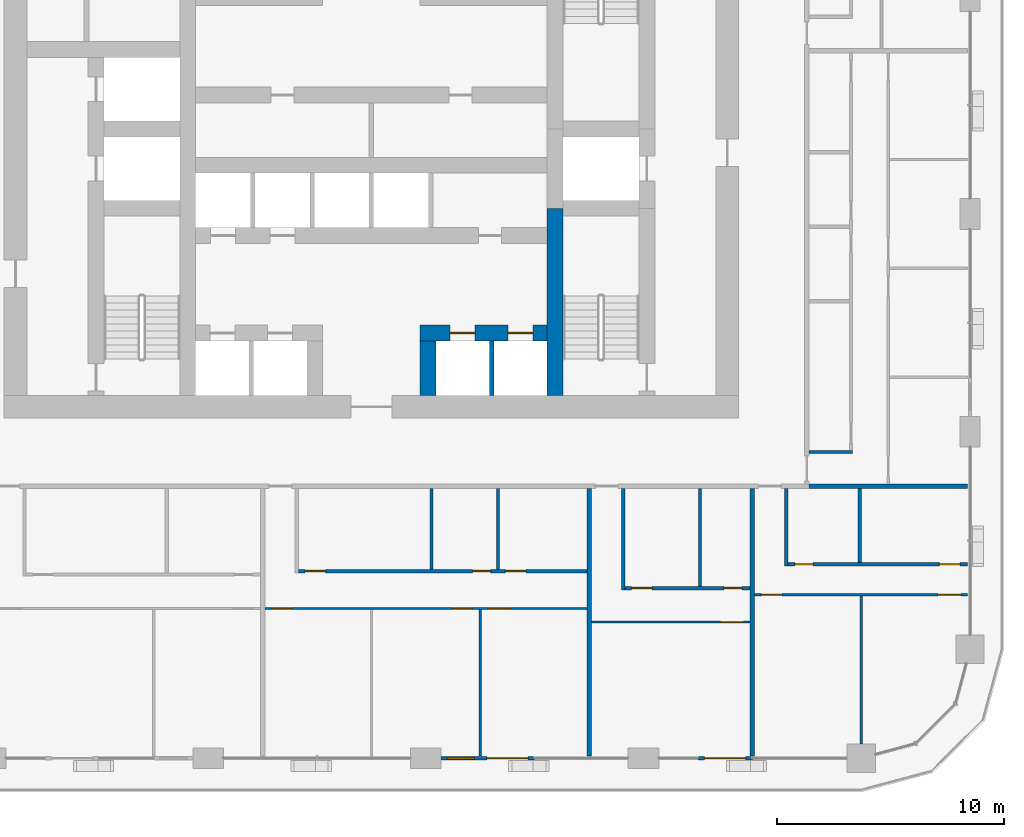
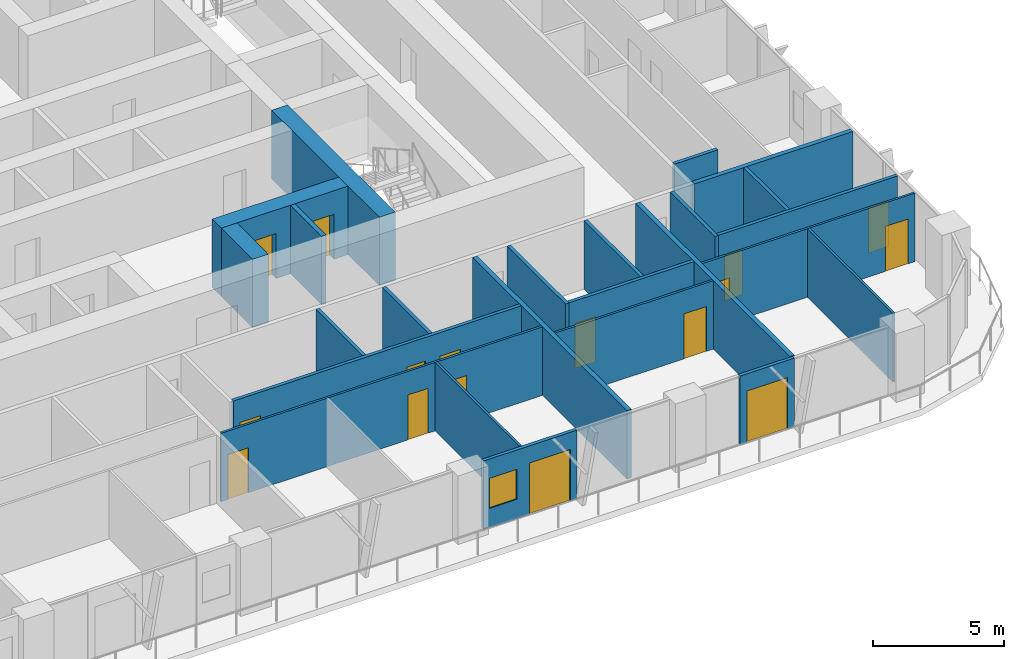
# One storey, part 11 of 21: 24 walls, 17 doors, 1 window, 18 openings.
"""IFC4 building model written with IfcOpenShell, lengths in metres."""

from ifc_helpers import new_model, si_unit, direction, frame, frame_2d, origin, place, context, subcontext, project, spatial, rectangle, extrude, material, layer, layer_set, type_object, element, fill, save


model = new_model("IFC4")

# Units and contexts
model_context = context("Model", 3, precision=1e-05, world=origin(), true_north=direction((0.0, 1.0)))
body_context = subcontext(model_context, "Body", "Model", "MODEL_VIEW")
ifc_project = project(units=[si_unit("LENGTHUNIT", "METRE"), si_unit("AREAUNIT", "SQUARE_METRE"), si_unit("VOLUMEUNIT", "CUBIC_METRE"), si_unit("PLANEANGLEUNIT", "RADIAN"), si_unit("MASSUNIT", "GRAM", prefix="KILO")], contexts=[model_context])

# Site, building, storey
site_placement = place(None, origin())
site = spatial("IfcSite", under=ifc_project, at=site_placement, CompositionType="ELEMENT")
building_placement = place(site_placement, origin())
building = spatial("IfcBuilding", under=site, at=building_placement, Name="Madar Terraces", CompositionType="ELEMENT")
storey_placement = place(building_placement, frame((0.0, 0.0, 29.39990234375)))
storey = spatial("IfcBuildingStorey", under=building, at=storey_placement, Name="L06", CompositionType="ELEMENT", Elevation=29.39990234375)

# Wall
ifc_material_1 = material(Name="Concrete C80/95", Category="concrete")
ifc_layer_1 = layer(ifc_material_1, 0.699951171875)
ifc_layer_set_1 = layer_set([ifc_layer_1], Name="Concrete C80/95 (CIW1 RC wall 700)")
wall_type_1 = type_object("IfcWallType", Name="CIW1 RC wall 700", PredefinedType="SHEAR", material=ifc_layer_set_1)
wall_1_placement = place(storey_placement, frame((39.300048828125, 16.0, 0.0), z_axis=(0.0, 0.0, 1.0), x_axis=(0.0, 1.0, 0.0)))
element("IfcWall", 1, at=wall_1_placement, inside=storey, type_object=wall_type_1, Name="CORE SHAFT WALL", PredefinedType="SHEAR", context=body_context, shape_type="SweptSolid", body=[
    extrude(rectangle(XDim=8.25, YDim=0.699951171875, at=frame_2d((4.125, 0.0))), origin(), (0.0, 0.0, 1.0), 3.2001953125),
])

# Wall, openings, doors
wall_2_placement = place(storey_placement, frame((33.35009765625, 18.75, 0.0), z_axis=(0.0, 0.0, 1.0), x_axis=(1.0, 0.0, 0.0)))
wall_2 = element("IfcWall", 2, at=wall_2_placement, inside=storey, type_object=wall_type_1, Name="CORE SHAFT WALL", PredefinedType="SHEAR", context=body_context, shape_type="SweptSolid", body=[
    extrude(rectangle(XDim=5.599853515625, YDim=0.699951171875, at=frame_2d((2.7998046875, 0.0))), origin(), (0.0, 0.0, 1.0), 3.2001953125),
])
opening_1_placement = place(wall_2_placement, frame((1.324951171875, 0.0, 0.0)))
opening_1 = element("IfcOpeningElement", 3, at=opening_1_placement, cuts=wall_2, Name="Opening LD", PredefinedType="OPENING", context=body_context, shape_type="SweptSolid", body=[
    extrude(rectangle(XDim=1.10009765625, YDim=2.10009765625, at=frame_2d((0.550048828125, 1.050048828125))), frame((0.0, 0.35986328125, 0.0), z_axis=(0.0, -1.0, 0.0), x_axis=(1.0, 0.0, 0.0)), (0.0, 0.0, 1.0), 0.719970703125),
])
opening_2_placement = place(wall_2_placement, frame((3.875, 0.0, 0.0)))
opening_2 = element("IfcOpeningElement", 4, at=opening_2_placement, cuts=wall_2, Name="Opening LD", PredefinedType="OPENING", context=body_context, shape_type="SweptSolid", body=[
    extrude(rectangle(XDim=1.10009765625, YDim=2.10009765625, at=frame_2d((0.550048828125, 1.050048828125))), frame((0.0, 0.35986328125, 0.0), z_axis=(0.0, -1.0, 0.0), x_axis=(1.0, 0.0, 0.0)), (0.0, 0.0, 1.0), 0.719970703125),
])
ifc_material_2 = material(Name="Stainless steel panel", Category="steel")
door_type_1 = type_object("IfcDoorType", Name="Lift landing door 1100 x 2100", OperationType="DOUBLE_DOOR_SLIDING", PredefinedType="DOOR", material=ifc_material_2)
door_1_placement = place(opening_1_placement, origin())
door_1 = element("IfcDoor", 5, at=door_1_placement, inside=storey, type_object=door_type_1, Name="LIFT LANDING DOOR", OperationType="DOUBLE_DOOR_SLIDING", OverallHeight=2.10009765625, OverallWidth=1.10009765625, PredefinedType="DOOR", context=body_context, shape_type="SweptSolid", body=[
    extrude(rectangle(XDim=1.10009765625, YDim=2.10009765625, at=frame_2d((0.550048828125, 1.050048828125))), frame((0.0, 0.02490234375, 0.0), z_axis=(0.0, -1.0, 0.0), x_axis=(1.0, 0.0, 0.0)), (0.0, 0.0, 1.0), 0.050048828125),
])
fill(opening_1, door_1)
door_2_placement = place(opening_2_placement, origin())
door_2 = element("IfcDoor", 6, at=door_2_placement, inside=storey, type_object=door_type_1, Name="LIFT LANDING DOOR", OperationType="DOUBLE_DOOR_SLIDING", OverallHeight=2.10009765625, OverallWidth=1.10009765625, PredefinedType="DOOR", context=body_context, shape_type="SweptSolid", body=[
    extrude(rectangle(XDim=1.10009765625, YDim=2.10009765625, at=frame_2d((0.550048828125, 1.050048828125))), frame((0.0, 0.02490234375, 0.0), z_axis=(0.0, -1.0, 0.0), x_axis=(1.0, 0.0, 0.0)), (0.0, 0.0, 1.0), 0.050048828125),
])
fill(opening_2, door_2)

# Walls
wall_3_placement = place(storey_placement, frame((33.699951171875, 16.0, 0.0), z_axis=(0.0, 0.0, 1.0), x_axis=(0.0, 1.0, 0.0)))
element("IfcWall", 7, at=wall_3_placement, inside=storey, type_object=wall_type_1, Name="CORE SHAFT WALL", PredefinedType="SHEAR", context=body_context, shape_type="SweptSolid", body=[
    extrude(rectangle(XDim=2.39990234375, YDim=0.699951171875, at=frame_2d((1.199951171875, 0.0))), origin(), (0.0, 0.0, 1.0), 3.2001953125),
])
ifc_material_3 = material(Name="Concrete C40/50", Category="concrete")
ifc_layer_2 = layer(ifc_material_3, 0.199951171875)
ifc_layer_set_2 = layer_set([ifc_layer_2], Name="Core shaft dividing wall 200 C40/50")
wall_type_2 = type_object("IfcWallType", Name="Core shaft dividing wall 200 C40/50", PredefinedType="SOLIDWALL", material=ifc_layer_set_2)
wall_4_placement = place(storey_placement, frame((36.5, 16.0, 0.0), z_axis=(0.0, 0.0, 1.0), x_axis=(0.0, 1.0, 0.0)))
element("IfcWall", 8, at=wall_4_placement, inside=storey, type_object=wall_type_2, Name="SHAFT DIVIDING WALL", PredefinedType="SOLIDWALL", context=body_context, shape_type="SweptSolid", body=[
    extrude(rectangle(XDim=2.39990234375, YDim=0.199951171875, at=frame_2d((1.199951171875, 0.0))), origin(), (0.0, 0.0, 1.0), 3.2001953125),
])

# Wall, openings, door, window
ifc_material_4 = material(Name="Aluminium composite panel, black, over insulated backing", Category="aluminium")
ifc_layer_3 = layer(ifc_material_4, 0.14990234375)
ifc_layer_set_3 = layer_set([ifc_layer_3], Name="Facade bay panel 150")
wall_type_3 = type_object("IfcWallType", Name="Facade bay panel 150", PredefinedType="SOLIDWALL", material=ifc_layer_set_3)
wall_5_placement = place(storey_placement, frame((34.27490234375, 0.0, 0.0), z_axis=(0.0, 0.0, 1.0), x_axis=(1.0, 0.0, 0.0)))
wall_5 = element("IfcWall", 9, at=wall_5_placement, inside=storey, type_object=wall_type_3, Name="Facade bay panel", PredefinedType="SOLIDWALL", context=body_context, shape_type="SweptSolid", body=[
    extrude(rectangle(XDim=4.125, YDim=0.14990234375, at=frame_2d((2.0625, 0.0))), origin(), (0.0, 0.0, 1.0), 3.2001953125),
])
opening_3_placement = place(wall_5_placement, frame((0.262451171875, 0.0, 0.89990234375)))
opening_3 = element("IfcOpeningElement", 10, at=opening_3_placement, cuts=wall_5, Name="Opening W1", PredefinedType="OPENING", context=body_context, shape_type="SweptSolid", body=[
    extrude(rectangle(XDim=1.199951171875, YDim=1.39990234375, at=frame_2d((0.60009765625, 0.699951171875))), frame((0.0, 0.0849609375, 0.0), z_axis=(0.0, -1.0, 0.0), x_axis=(1.0, 0.0, 0.0)), (0.0, 0.0, 1.0), 0.169921875),
])
opening_4_placement = place(wall_5_placement, frame((2.02490234375, 0.0, 0.0)))
opening_4 = element("IfcOpeningElement", 11, at=opening_4_placement, cuts=wall_5, Name="Opening ED1", PredefinedType="OPENING", context=body_context, shape_type="SweptSolid", body=[
    extrude(rectangle(XDim=1.800048828125, YDim=2.39990234375, at=frame_2d((0.89990234375, 1.199951171875))), frame((0.0, 0.0849609375, 0.0), z_axis=(0.0, -1.0, 0.0), x_axis=(1.0, 0.0, 0.0)), (0.0, 0.0, 1.0), 0.169921875),
])
ifc_material_5 = material(Name="Glass, clear, with black aluminium frame", Category="aluminium")
door_type_2 = type_object("IfcDoorType", Name="Balcony and terrace sliding door 1800 x 2400", OperationType="SLIDING_TO_LEFT", PredefinedType="DOOR", material=ifc_material_5)
door_3_placement = place(opening_4_placement, origin())
door_3 = element("IfcDoor", 12, at=door_3_placement, inside=storey, type_object=door_type_2, Name="Balcony door", OperationType="SLIDING_TO_RIGHT", OverallHeight=2.39990234375, OverallWidth=1.800048828125, PredefinedType="DOOR", context=body_context, shape_type="SweptSolid", body=[
    extrude(rectangle(XDim=1.800048828125, YDim=2.39990234375, at=frame_2d((0.89990234375, 1.199951171875))), frame((0.0, 0.02490234375, 0.0), z_axis=(0.0, -1.0, 0.0), x_axis=(1.0, 0.0, 0.0)), (0.0, 0.0, 1.0), 0.050048828125),
])
fill(opening_4, door_3)
ifc_material_6 = material(Name="Glass, clear, with black aluminium frame", Category="aluminium")
window_type = type_object("IfcWindowType", Name="Vent window 1200 x 1400", PartitioningType="SINGLE_PANEL", PredefinedType="WINDOW", material=ifc_material_6)
window_placement = place(opening_3_placement, origin())
window = element("IfcWindow", 13, at=window_placement, inside=storey, type_object=window_type, Name="Operable vent window", OverallHeight=1.39990234375, OverallWidth=1.199951171875, PartitioningType="SINGLE_PANEL", PredefinedType="WINDOW", context=body_context, shape_type="SweptSolid", body=[
    extrude(rectangle(XDim=1.199951171875, YDim=1.39990234375, at=frame_2d((0.60009765625, 0.699951171875))), frame((0.0, 0.030029296875, 0.0), z_axis=(0.0, -1.0, 0.0), x_axis=(1.0, 0.0, 0.0)), (0.0, 0.0, 1.0), 0.06005859375),
])
fill(opening_3, window)

# Wall, opening, door
wall_6_placement = place(storey_placement, frame((45.60009765625, 0.0, 0.0), z_axis=(0.0, 0.0, 1.0), x_axis=(1.0, 0.0, 0.0)))
wall_6 = element("IfcWall", 14, at=wall_6_placement, inside=storey, type_object=wall_type_3, Name="Facade bay panel", PredefinedType="SOLIDWALL", context=body_context, shape_type="SweptSolid", body=[
    extrude(rectangle(XDim=2.39990234375, YDim=0.14990234375, at=frame_2d((1.199951171875, 0.0))), origin(), (0.0, 0.0, 1.0), 3.2001953125),
])
opening_5_placement = place(wall_6_placement, frame((0.300048828125, 0.0, 0.0)))
opening_5 = element("IfcOpeningElement", 15, at=opening_5_placement, cuts=wall_6, Name="Opening ED1", PredefinedType="OPENING", context=body_context, shape_type="SweptSolid", body=[
    extrude(rectangle(XDim=1.800048828125, YDim=2.39990234375, at=frame_2d((0.89990234375, 1.199951171875))), frame((0.0, 0.0849609375, 0.0), z_axis=(0.0, -1.0, 0.0), x_axis=(1.0, 0.0, 0.0)), (0.0, 0.0, 1.0), 0.169921875),
])
door_4_placement = place(opening_5_placement, origin())
door_4 = element("IfcDoor", 16, at=door_4_placement, inside=storey, type_object=door_type_2, Name="Balcony door", OperationType="SLIDING_TO_LEFT", OverallHeight=2.39990234375, OverallWidth=1.800048828125, PredefinedType="DOOR", context=body_context, shape_type="SweptSolid", body=[
    extrude(rectangle(XDim=1.800048828125, YDim=2.39990234375, at=frame_2d((0.89990234375, 1.199951171875))), frame((0.0, 0.02490234375, 0.0), z_axis=(0.0, -1.0, 0.0), x_axis=(1.0, 0.0, 0.0)), (0.0, 0.0, 1.0), 0.050048828125),
])
fill(opening_5, door_4)

# Wall
ifc_material_7 = material(Name="Gypsum board on steel studs", Category="steel")
ifc_layer_4 = layer(ifc_material_7, 0.10009765625)
ifc_layer_set_4 = layer_set([ifc_layer_4], Name="Flat partition 100")
wall_type_4 = type_object("IfcWallType", Name="Flat partition 100", PredefinedType="PARTITIONING", material=ifc_layer_set_4)
wall_7_placement = place(storey_placement, frame((36.0, 6.550048828125, 0.0), z_axis=(0.0, 0.0, 1.0), x_axis=(0.0, -1.0, 0.0)))
element("IfcWall", 17, at=wall_7_placement, inside=storey, type_object=wall_type_4, Name="Flat partition 100", PredefinedType="PARTITIONING", context=body_context, shape_type="SweptSolid", body=[
    extrude(rectangle(XDim=6.449951171875, YDim=0.10009765625, at=frame_2d((3.22509765625, 0.0))), origin(), (0.0, 0.0, 1.0), 3.2001953125),
])

# Wall, openings, doors
wall_8_placement = place(storey_placement, frame((40.699951171875, 6.60009765625, 0.0), z_axis=(0.0, 0.0, 1.0), x_axis=(-1.0, 0.0, 0.0)))
wall_8 = element("IfcWall", 18, at=wall_8_placement, inside=storey, type_object=wall_type_4, Name="Flat partition 100", PredefinedType="PARTITIONING", context=body_context, shape_type="SweptSolid", body=[
    extrude(rectangle(XDim=14.199951171875, YDim=0.10009765625, at=frame_2d((7.10009765625, 0.0))), origin(), (0.0, 0.0, 1.0), 3.2001953125),
])
opening_6_placement = place(wall_8_placement, frame((13.0, 0.0, 0.0)))
opening_6 = element("IfcOpeningElement", 19, at=opening_6_placement, cuts=wall_8, Name="Opening D2", PredefinedType="OPENING", context=body_context, shape_type="SweptSolid", body=[
    extrude(rectangle(XDim=0.89990234375, YDim=2.10009765625, at=frame_2d((0.449951171875, 1.050048828125))), frame((0.0, 0.06005859375, 0.0), z_axis=(0.0, -1.0, 0.0), x_axis=(1.0, 0.0, 0.0)), (0.0, 0.0, 1.0), 0.1201171875),
])
opening_7_placement = place(wall_8_placement, frame((5.050048828125, 0.0, 0.0)))
opening_7 = element("IfcOpeningElement", 20, at=opening_7_placement, cuts=wall_8, Name="Opening D2", PredefinedType="OPENING", context=body_context, shape_type="SweptSolid", body=[
    extrude(rectangle(XDim=0.89990234375, YDim=2.10009765625, at=frame_2d((0.449951171875, 1.050048828125))), frame((0.0, 0.06005859375, 0.0), z_axis=(0.0, -1.0, 0.0), x_axis=(1.0, 0.0, 0.0)), (0.0, 0.0, 1.0), 0.1201171875),
])
opening_8_placement = place(wall_8_placement, frame((3.35009765625, 0.0, 0.0)))
opening_8 = element("IfcOpeningElement", 21, at=opening_8_placement, cuts=wall_8, Name="Opening D3", PredefinedType="OPENING", context=body_context, shape_type="SweptSolid", body=[
    extrude(rectangle(XDim=1.0, YDim=2.10009765625, at=frame_2d((0.5, 1.050048828125))), frame((0.0, 0.06005859375, 0.0), z_axis=(0.0, -1.0, 0.0), x_axis=(1.0, 0.0, 0.0)), (0.0, 0.0, 1.0), 0.1201171875),
])
ifc_material_8 = material(Name="Timber door leaf", Category="wood")
door_type_3 = type_object("IfcDoorType", Name="Flat living room door 1000", OperationType="NOTDEFINED", PredefinedType="DOOR", material=ifc_material_8)
door_5_placement = place(opening_8_placement, origin())
door_5 = element("IfcDoor", 22, at=door_5_placement, inside=storey, type_object=door_type_3, Name="Flat living room door 1000", OperationType="SINGLE_SWING_RIGHT", OverallHeight=2.10009765625, OverallWidth=1.0, PredefinedType="DOOR", context=body_context, shape_type="SweptSolid", body=[
    extrude(rectangle(XDim=1.0, YDim=2.10009765625, at=frame_2d((0.5, 1.050048828125))), frame((0.0, 0.02490234375, 0.0), z_axis=(0.0, -1.0, 0.0), x_axis=(1.0, 0.0, 0.0)), (0.0, 0.0, 1.0), 0.050048828125),
])
fill(opening_8, door_5)
ifc_material_9 = material(Name="Timber door leaf", Category="wood")
door_type_4 = type_object("IfcDoorType", Name="Flat room door 900", OperationType="NOTDEFINED", PredefinedType="DOOR", material=ifc_material_9)
door_6_placement = place(opening_6_placement, origin())
door_6 = element("IfcDoor", 23, at=door_6_placement, inside=storey, type_object=door_type_4, Name="Flat room door 900", OperationType="SINGLE_SWING_RIGHT", OverallHeight=2.10009765625, OverallWidth=0.89990234375, PredefinedType="DOOR", context=body_context, shape_type="SweptSolid", body=[
    extrude(rectangle(XDim=0.89990234375, YDim=2.10009765625, at=frame_2d((0.449951171875, 1.050048828125))), frame((0.0, 0.02490234375, 0.0), z_axis=(0.0, -1.0, 0.0), x_axis=(1.0, 0.0, 0.0)), (0.0, 0.0, 1.0), 0.050048828125),
])
fill(opening_6, door_6)
door_7_placement = place(opening_7_placement, origin())
door_7 = element("IfcDoor", 24, at=door_7_placement, inside=storey, type_object=door_type_4, Name="Flat room door 900", OperationType="SINGLE_SWING_LEFT", OverallHeight=2.10009765625, OverallWidth=0.89990234375, PredefinedType="DOOR", context=body_context, shape_type="SweptSolid", body=[
    extrude(rectangle(XDim=0.89990234375, YDim=2.10009765625, at=frame_2d((0.449951171875, 1.050048828125))), frame((0.0, 0.02490234375, 0.0), z_axis=(0.0, -1.0, 0.0), x_axis=(1.0, 0.0, 0.0)), (0.0, 0.0, 1.0), 0.050048828125),
])
fill(opening_7, door_7)

# Wall, opening, door
wall_9_placement = place(storey_placement, frame((47.89990234375, 6.0, 0.0), z_axis=(0.0, 0.0, 1.0), x_axis=(-1.0, 0.0, 0.0)))
wall_9 = element("IfcWall", 25, at=wall_9_placement, inside=storey, type_object=wall_type_4, Name="Flat partition 100", PredefinedType="PARTITIONING", context=body_context, shape_type="SweptSolid", body=[
    extrude(rectangle(XDim=7.0, YDim=0.10009765625, at=frame_2d((3.5, 0.0))), origin(), (0.0, 0.0, 1.0), 3.2001953125),
])
opening_9_placement = place(wall_9_placement, frame((0.300048828125, 0.0, 0.0)))
opening_9 = element("IfcOpeningElement", 26, at=opening_9_placement, cuts=wall_9, Name="Opening D3", PredefinedType="OPENING", context=body_context, shape_type="SweptSolid", body=[
    extrude(rectangle(XDim=1.0, YDim=2.10009765625, at=frame_2d((0.5, 1.050048828125))), frame((0.0, 0.06005859375, 0.0), z_axis=(0.0, -1.0, 0.0), x_axis=(1.0, 0.0, 0.0)), (0.0, 0.0, 1.0), 0.1201171875),
])
door_8_placement = place(opening_9_placement, origin())
door_8 = element("IfcDoor", 27, at=door_8_placement, inside=storey, type_object=door_type_3, Name="Flat living room door 1000", OperationType="SINGLE_SWING_LEFT", OverallHeight=2.10009765625, OverallWidth=1.0, PredefinedType="DOOR", context=body_context, shape_type="SweptSolid", body=[
    extrude(rectangle(XDim=1.0, YDim=2.10009765625, at=frame_2d((0.5, 1.050048828125))), frame((0.0, 0.02490234375, 0.0), z_axis=(0.0, -1.0, 0.0), x_axis=(1.0, 0.0, 0.0)), (0.0, 0.0, 1.0), 0.050048828125),
])
fill(opening_9, door_8)

# Wall
wall_10_placement = place(storey_placement, frame((52.800048828125, 7.14990234375, 0.0), z_axis=(0.0, 0.0, 1.0), x_axis=(0.0, -1.0, 0.0)))
element("IfcWall", 28, at=wall_10_placement, inside=storey, type_object=wall_type_4, Name="Flat partition 100", PredefinedType="PARTITIONING", context=body_context, shape_type="SweptSolid", body=[
    extrude(rectangle(XDim=6.52490234375, YDim=0.10009765625, at=frame_2d((3.262451171875, 0.0))), origin(), (0.0, 0.0, 1.0), 3.2001953125),
])

# Wall, openings, doors
wall_11_placement = place(storey_placement, frame((57.5, 7.199951171875, 0.0), z_axis=(0.0, 0.0, 1.0), x_axis=(-1.0, 0.0, 0.0)))
wall_11 = element("IfcWall", 29, at=wall_11_placement, inside=storey, type_object=wall_type_4, Name="Flat partition 100", PredefinedType="PARTITIONING", context=body_context, shape_type="SweptSolid", body=[
    extrude(rectangle(XDim=9.39990234375, YDim=0.10009765625, at=frame_2d((4.699951171875, 0.0))), origin(), (0.0, 0.0, 1.0), 3.2001953125),
])
opening_10_placement = place(wall_11_placement, frame((8.199951171875, 0.0, 0.0)))
opening_10 = element("IfcOpeningElement", 30, at=opening_10_placement, cuts=wall_11, Name="Opening D2", PredefinedType="OPENING", context=body_context, shape_type="SweptSolid", body=[
    extrude(rectangle(XDim=0.89990234375, YDim=2.10009765625, at=frame_2d((0.449951171875, 1.050048828125))), frame((0.0, 0.06005859375, 0.0), z_axis=(0.0, -1.0, 0.0), x_axis=(1.0, 0.0, 0.0)), (0.0, 0.0, 1.0), 0.1201171875),
])
opening_11_placement = place(wall_11_placement, frame((0.300048828125, 0.0, 0.0)))
opening_11 = element("IfcOpeningElement", 31, at=opening_11_placement, cuts=wall_11, Name="Opening D3", PredefinedType="OPENING", context=body_context, shape_type="SweptSolid", body=[
    extrude(rectangle(XDim=1.0, YDim=2.10009765625, at=frame_2d((0.5, 1.050048828125))), frame((0.0, 0.06005859375, 0.0), z_axis=(0.0, -1.0, 0.0), x_axis=(1.0, 0.0, 0.0)), (0.0, 0.0, 1.0), 0.1201171875),
])
door_9_placement = place(opening_11_placement, origin())
door_9 = element("IfcDoor", 32, at=door_9_placement, inside=storey, type_object=door_type_3, Name="Flat living room door 1000", OperationType="SINGLE_SWING_LEFT", OverallHeight=2.10009765625, OverallWidth=1.0, PredefinedType="DOOR", context=body_context, shape_type="SweptSolid", body=[
    extrude(rectangle(XDim=1.0, YDim=2.10009765625, at=frame_2d((0.5, 1.050048828125))), frame((0.0, 0.02490234375, 0.0), z_axis=(0.0, -1.0, 0.0), x_axis=(1.0, 0.0, 0.0)), (0.0, 0.0, 1.0), 0.050048828125),
])
fill(opening_11, door_9)
door_10_placement = place(opening_10_placement, origin())
door_10 = element("IfcDoor", 33, at=door_10_placement, inside=storey, type_object=door_type_4, Name="Flat room door 900", OperationType="SINGLE_SWING_RIGHT", OverallHeight=2.10009765625, OverallWidth=0.89990234375, PredefinedType="DOOR", context=body_context, shape_type="SweptSolid", body=[
    extrude(rectangle(XDim=0.89990234375, YDim=2.10009765625, at=frame_2d((0.449951171875, 1.050048828125))), frame((0.0, 0.02490234375, 0.0), z_axis=(0.0, -1.0, 0.0), x_axis=(1.0, 0.0, 0.0)), (0.0, 0.0, 1.0), 0.050048828125),
])
fill(opening_10, door_10)

# Walls
ifc_material_10 = material(Name="Lightweight blockwork", Category="masonry")
ifc_layer_5 = layer(ifc_material_10, 0.199951171875)
ifc_layer_set_5 = layer_set([ifc_layer_5], Name="Flat party and entrance wall 200")
wall_type_5 = type_object("IfcWallType", Name="Flat party and entrance wall 200", PredefinedType="PARTITIONING", material=ifc_layer_set_5)
for number, where, z_axis, x_axis, name in (
    (34, (40.800048828125, 11.89990234375, 0.0), (0.0, 0.0, 1.0), (0.0, -1.0, 0.0), "Flat party and entrance wall 200"),
    (35, (48.0, 11.89990234375, 0.0), (0.0, 0.0, 1.0), (0.0, -1.0, 0.0), "Flat party and entrance wall 200"),
):
    element("IfcWall", number, at=place(storey_placement, frame(where, z_axis=z_axis, x_axis=x_axis)), inside=storey, type_object=wall_type_5, Name=name, PredefinedType="PARTITIONING", context=body_context, shape_type="SweptSolid", body=[
        extrude(rectangle(XDim=11.7998046875, YDim=0.199951171875, at=frame_2d((5.89990234375, 0.0))), origin(), (0.0, 0.0, 1.0), 3.2001953125),
    ])
wall_12_placement = place(storey_placement, frame((50.5, 12.0, 0.0), z_axis=(0.0, 0.0, 1.0), x_axis=(1.0, 0.0, 0.0)))
element("IfcWall", 36, at=wall_12_placement, inside=storey, type_object=wall_type_5, Name="Flat party and entrance wall 200", PredefinedType="PARTITIONING", context=body_context, shape_type="SweptSolid", body=[
    extrude(rectangle(XDim=7.0, YDim=0.199951171875, at=frame_2d((3.5, 0.0))), origin(), (0.0, 0.0, 1.0), 3.2001953125),
])
ifc_material_11 = material(Name="Lightweight blockwork", Category="masonry")
ifc_layer_6 = layer(ifc_material_11, 0.14990234375)
ifc_layer_set_6 = layer_set([ifc_layer_6], Name="Flat wet-room partition 150")
wall_type_6 = type_object("IfcWallType", Name="Flat wet-room partition 150", PredefinedType="PARTITIONING", material=ifc_layer_set_6)
for number, where, z_axis, x_axis, name in (
    (37, (33.84814453125, 11.89990234375, 0.0), (0.0, 0.0, 1.0), (0.0, -1.0, 0.0), "Flat wet-room partition 150"),
    (38, (36.78466796875, 11.89990234375, 0.0), (0.0, 0.0, 1.0), (0.0, -1.0, 0.0), "Flat wet-room partition 150"),
):
    element("IfcWall", number, at=place(storey_placement, frame(where, z_axis=z_axis, x_axis=x_axis)), inside=storey, type_object=wall_type_6, Name=name, PredefinedType="PARTITIONING", context=body_context, shape_type="SweptSolid", body=[
        extrude(rectangle(XDim=3.574951171875, YDim=0.14990234375, at=frame_2d((1.78759765625, 0.0))), origin(), (0.0, 0.0, 1.0), 3.2001953125),
    ])

# Wall, openings, doors
wall_13_placement = place(storey_placement, frame((27.97509765625, 8.25, 0.0), z_axis=(0.0, 0.0, 1.0), x_axis=(1.0, 0.0, 0.0)))
wall_13 = element("IfcWall", 39, at=wall_13_placement, inside=storey, type_object=wall_type_6, Name="Flat wet-room partition 150", PredefinedType="PARTITIONING", context=body_context, shape_type="SweptSolid", body=[
    extrude(rectangle(XDim=12.724853515625, YDim=0.14990234375, at=frame_2d((6.3623046875, 0.0))), origin(), (0.0, 0.0, 1.0), 3.2001953125),
])
opening_12_placement = place(wall_13_placement, frame((0.300048828125, 0.0, 0.0)))
opening_12 = element("IfcOpeningElement", 40, at=opening_12_placement, cuts=wall_13, Name="Opening D2", PredefinedType="OPENING", context=body_context, shape_type="SweptSolid", body=[
    extrude(rectangle(XDim=0.89990234375, YDim=2.10009765625, at=frame_2d((0.449951171875, 1.050048828125))), frame((0.0, 0.0849609375, 0.0), z_axis=(0.0, -1.0, 0.0), x_axis=(1.0, 0.0, 0.0)), (0.0, 0.0, 1.0), 0.169921875),
])
opening_13_placement = place(wall_13_placement, frame((7.6845703125, 0.0, 0.0)))
opening_13 = element("IfcOpeningElement", 41, at=opening_13_placement, cuts=wall_13, Name="Opening D4", PredefinedType="OPENING", context=body_context, shape_type="SweptSolid", body=[
    extrude(rectangle(XDim=0.800048828125, YDim=2.10009765625, at=frame_2d((0.39990234375, 1.050048828125))), frame((0.0, 0.0849609375, 0.0), z_axis=(0.0, -1.0, 0.0), x_axis=(1.0, 0.0, 0.0)), (0.0, 0.0, 1.0), 0.169921875),
])
opening_14_placement = place(wall_13_placement, frame((9.134521484375, 0.0, 0.0)))
opening_14 = element("IfcOpeningElement", 42, at=opening_14_placement, cuts=wall_13, Name="Opening D5", PredefinedType="OPENING", context=body_context, shape_type="SweptSolid", body=[
    extrude(rectangle(XDim=0.89990234375, YDim=2.10009765625, at=frame_2d((0.449951171875, 1.050048828125))), frame((0.0, 0.0849609375, 0.0), z_axis=(0.0, -1.0, 0.0), x_axis=(1.0, 0.0, 0.0)), (0.0, 0.0, 1.0), 0.169921875),
])
ifc_material_12 = material(Name="Timber door leaf", Category="wood")
door_type_5 = type_object("IfcDoorType", Name="Flat accessible bathroom door 900", OperationType="NOTDEFINED", PredefinedType="DOOR", material=ifc_material_12)
door_11_placement = place(opening_14_placement, origin())
door_11 = element("IfcDoor", 43, at=door_11_placement, inside=storey, type_object=door_type_5, Name="Flat accessible bathroom door 900", OperationType="SINGLE_SWING_LEFT", OverallHeight=2.10009765625, OverallWidth=0.89990234375, PredefinedType="DOOR", context=body_context, shape_type="SweptSolid", body=[
    extrude(rectangle(XDim=0.89990234375, YDim=2.10009765625, at=frame_2d((0.449951171875, 1.050048828125))), frame((0.0, 0.02490234375, 0.0), z_axis=(0.0, -1.0, 0.0), x_axis=(1.0, 0.0, 0.0)), (0.0, 0.0, 1.0), 0.050048828125),
])
fill(opening_14, door_11)
ifc_material_13 = material(Name="Timber door leaf", Category="wood")
door_type_6 = type_object("IfcDoorType", Name="Flat bathroom door 800", OperationType="NOTDEFINED", PredefinedType="DOOR", material=ifc_material_13)
door_12_placement = place(opening_13_placement, origin())
door_12 = element("IfcDoor", 44, at=door_12_placement, inside=storey, type_object=door_type_6, Name="Flat bathroom door 800", OperationType="SINGLE_SWING_RIGHT", OverallHeight=2.10009765625, OverallWidth=0.800048828125, PredefinedType="DOOR", context=body_context, shape_type="SweptSolid", body=[
    extrude(rectangle(XDim=0.800048828125, YDim=2.10009765625, at=frame_2d((0.39990234375, 1.050048828125))), frame((0.0, 0.02490234375, 0.0), z_axis=(0.0, -1.0, 0.0), x_axis=(1.0, 0.0, 0.0)), (0.0, 0.0, 1.0), 0.050048828125),
])
fill(opening_13, door_12)
door_13_placement = place(opening_12_placement, origin())
door_13 = element("IfcDoor", 45, at=door_13_placement, inside=storey, type_object=door_type_4, Name="Flat room door 900", OperationType="SINGLE_SWING_LEFT", OverallHeight=2.10009765625, OverallWidth=0.89990234375, PredefinedType="DOOR", context=body_context, shape_type="SweptSolid", body=[
    extrude(rectangle(XDim=0.89990234375, YDim=2.10009765625, at=frame_2d((0.449951171875, 1.050048828125))), frame((0.0, 0.02490234375, 0.0), z_axis=(0.0, -1.0, 0.0), x_axis=(1.0, 0.0, 0.0)), (0.0, 0.0, 1.0), 0.050048828125),
])
fill(opening_12, door_13)

# Walls
wall_14_placement = place(storey_placement, frame((45.68994140625, 11.89990234375, 0.0), z_axis=(0.0, 0.0, 1.0), x_axis=(0.0, -1.0, 0.0)))
element("IfcWall", 46, at=wall_14_placement, inside=storey, type_object=wall_type_6, Name="Flat wet-room partition 150", PredefinedType="PARTITIONING", context=body_context, shape_type="SweptSolid", body=[
    extrude(rectangle(XDim=4.324951171875, YDim=0.14990234375, at=frame_2d((2.16259765625, 0.0))), origin(), (0.0, 0.0, 1.0), 3.2001953125),
])
wall_15_placement = place(storey_placement, frame((42.300048828125, 11.89990234375, 0.0), z_axis=(0.0, 0.0, 1.0), x_axis=(0.0, -1.0, 0.0)))
element("IfcWall", 47, at=wall_15_placement, inside=storey, type_object=wall_type_6, Name="Flat wet-room partition 150", PredefinedType="PARTITIONING", context=body_context, shape_type="SweptSolid", body=[
    extrude(rectangle(XDim=4.474853515625, YDim=0.14990234375, at=frame_2d((2.2373046875, 0.0))), origin(), (0.0, 0.0, 1.0), 3.2001953125),
])

# Wall, openings, doors
wall_16_placement = place(storey_placement, frame((42.375, 7.5, 0.0), z_axis=(0.0, 0.0, 1.0), x_axis=(1.0, 0.0, 0.0)))
wall_16 = element("IfcWall", 48, at=wall_16_placement, inside=storey, type_object=wall_type_6, Name="Flat wet-room partition 150", PredefinedType="PARTITIONING", context=body_context, shape_type="SweptSolid", body=[
    extrude(rectangle(XDim=5.52490234375, YDim=0.14990234375, at=frame_2d((2.762451171875, 0.0))), origin(), (0.0, 0.0, 1.0), 3.2001953125),
])
opening_15_placement = place(wall_16_placement, frame((0.300048828125, 0.0, 0.0)))
opening_15 = element("IfcOpeningElement", 49, at=opening_15_placement, cuts=wall_16, Name="Opening D2", PredefinedType="OPENING", context=body_context, shape_type="SweptSolid", body=[
    extrude(rectangle(XDim=0.89990234375, YDim=2.10009765625, at=frame_2d((0.449951171875, 1.050048828125))), frame((0.0, 0.0849609375, 0.0), z_axis=(0.0, -1.0, 0.0), x_axis=(1.0, 0.0, 0.0)), (0.0, 0.0, 1.0), 0.169921875),
])
opening_16_placement = place(wall_16_placement, frame((4.375, 0.0, 0.0)))
opening_16 = element("IfcOpeningElement", 50, at=opening_16_placement, cuts=wall_16, Name="Opening D4", PredefinedType="OPENING", context=body_context, shape_type="SweptSolid", body=[
    extrude(rectangle(XDim=0.800048828125, YDim=2.10009765625, at=frame_2d((0.39990234375, 1.050048828125))), frame((0.0, 0.0849609375, 0.0), z_axis=(0.0, -1.0, 0.0), x_axis=(1.0, 0.0, 0.0)), (0.0, 0.0, 1.0), 0.169921875),
])
door_14_placement = place(opening_16_placement, origin())
door_14 = element("IfcDoor", 51, at=door_14_placement, inside=storey, type_object=door_type_6, Name="Flat bathroom door 800", OperationType="SINGLE_SWING_RIGHT", OverallHeight=2.10009765625, OverallWidth=0.800048828125, PredefinedType="DOOR", context=body_context, shape_type="SweptSolid", body=[
    extrude(rectangle(XDim=0.800048828125, YDim=2.10009765625, at=frame_2d((0.39990234375, 1.050048828125))), frame((0.0, 0.02490234375, 0.0), z_axis=(0.0, -1.0, 0.0), x_axis=(1.0, 0.0, 0.0)), (0.0, 0.0, 1.0), 0.050048828125),
])
fill(opening_16, door_14)
door_15_placement = place(opening_15_placement, origin())
door_15 = element("IfcDoor", 52, at=door_15_placement, inside=storey, type_object=door_type_4, Name="Flat room door 900", OperationType="SINGLE_SWING_LEFT", OverallHeight=2.10009765625, OverallWidth=0.89990234375, PredefinedType="DOOR", context=body_context, shape_type="SweptSolid", body=[
    extrude(rectangle(XDim=0.89990234375, YDim=2.10009765625, at=frame_2d((0.449951171875, 1.050048828125))), frame((0.0, 0.02490234375, 0.0), z_axis=(0.0, -1.0, 0.0), x_axis=(1.0, 0.0, 0.0)), (0.0, 0.0, 1.0), 0.050048828125),
])
fill(opening_15, door_15)

# Walls
wall_17_placement = place(storey_placement, frame((52.7451171875, 11.89990234375, 0.0), z_axis=(0.0, 0.0, 1.0), x_axis=(0.0, -1.0, 0.0)))
element("IfcWall", 53, at=wall_17_placement, inside=storey, type_object=wall_type_6, Name="Flat wet-room partition 150", PredefinedType="PARTITIONING", context=body_context, shape_type="SweptSolid", body=[
    extrude(rectangle(XDim=3.27490234375, YDim=0.14990234375, at=frame_2d((1.637451171875, 0.0))), origin(), (0.0, 0.0, 1.0), 3.2001953125),
])
wall_18_placement = place(storey_placement, frame((49.5, 11.89990234375, 0.0), z_axis=(0.0, 0.0, 1.0), x_axis=(0.0, -1.0, 0.0)))
element("IfcWall", 54, at=wall_18_placement, inside=storey, type_object=wall_type_6, Name="Flat wet-room partition 150", PredefinedType="PARTITIONING", context=body_context, shape_type="SweptSolid", body=[
    extrude(rectangle(XDim=3.4248046875, YDim=0.14990234375, at=frame_2d((1.71240234375, 0.0))), origin(), (0.0, 0.0, 1.0), 3.2001953125),
])

# Wall, openings, doors
wall_19_placement = place(storey_placement, frame((49.574951171875, 8.550048828125, 0.0), z_axis=(0.0, 0.0, 1.0), x_axis=(1.0, 0.0, 0.0)))
wall_19 = element("IfcWall", 55, at=wall_19_placement, inside=storey, type_object=wall_type_6, Name="Flat wet-room partition 150", PredefinedType="PARTITIONING", context=body_context, shape_type="SweptSolid", body=[
    extrude(rectangle(XDim=7.925048828125, YDim=0.14990234375, at=frame_2d((3.96240234375, 0.0))), origin(), (0.0, 0.0, 1.0), 3.2001953125),
])
opening_17_placement = place(wall_19_placement, frame((0.300048828125, 0.0, 0.0)))
opening_17 = element("IfcOpeningElement", 56, at=opening_17_placement, cuts=wall_19, Name="Opening D4", PredefinedType="OPENING", context=body_context, shape_type="SweptSolid", body=[
    extrude(rectangle(XDim=0.800048828125, YDim=2.10009765625, at=frame_2d((0.39990234375, 1.050048828125))), frame((0.0, 0.0849609375, 0.0), z_axis=(0.0, -1.0, 0.0), x_axis=(1.0, 0.0, 0.0)), (0.0, 0.0, 1.0), 0.169921875),
])
opening_18_placement = place(wall_19_placement, frame((6.675048828125, 0.0, 0.0)))
opening_18 = element("IfcOpeningElement", 57, at=opening_18_placement, cuts=wall_19, Name="Opening D2", PredefinedType="OPENING", context=body_context, shape_type="SweptSolid", body=[
    extrude(rectangle(XDim=0.89990234375, YDim=2.10009765625, at=frame_2d((0.449951171875, 1.050048828125))), frame((0.0, 0.0849609375, 0.0), z_axis=(0.0, -1.0, 0.0), x_axis=(1.0, 0.0, 0.0)), (0.0, 0.0, 1.0), 0.169921875),
])
door_16_placement = place(opening_17_placement, origin())
door_16 = element("IfcDoor", 58, at=door_16_placement, inside=storey, type_object=door_type_6, Name="Flat bathroom door 800", OperationType="SINGLE_SWING_LEFT", OverallHeight=2.10009765625, OverallWidth=0.800048828125, PredefinedType="DOOR", context=body_context, shape_type="SweptSolid", body=[
    extrude(rectangle(XDim=0.800048828125, YDim=2.10009765625, at=frame_2d((0.39990234375, 1.050048828125))), frame((0.0, 0.02490234375, 0.0), z_axis=(0.0, -1.0, 0.0), x_axis=(1.0, 0.0, 0.0)), (0.0, 0.0, 1.0), 0.050048828125),
])
fill(opening_17, door_16)
door_17_placement = place(opening_18_placement, origin())
door_17 = element("IfcDoor", 59, at=door_17_placement, inside=storey, type_object=door_type_4, Name="Flat room door 900", OperationType="SINGLE_SWING_RIGHT", OverallHeight=2.10009765625, OverallWidth=0.89990234375, PredefinedType="DOOR", context=body_context, shape_type="SweptSolid", body=[
    extrude(rectangle(XDim=0.89990234375, YDim=2.10009765625, at=frame_2d((0.449951171875, 1.050048828125))), frame((0.0, 0.02490234375, 0.0), z_axis=(0.0, -1.0, 0.0), x_axis=(1.0, 0.0, 0.0)), (0.0, 0.0, 1.0), 0.050048828125),
])
fill(opening_18, door_17)

# Wall
wall_20_placement = place(storey_placement, frame((50.5, 13.5, 0.0), z_axis=(0.0, 0.0, 1.0), x_axis=(1.0, 0.0, 0.0)))
element("IfcWall", 60, at=wall_20_placement, inside=storey, type_object=wall_type_6, Name="Flat wet-room partition 150", PredefinedType="PARTITIONING", context=body_context, shape_type="SweptSolid", body=[
    extrude(rectangle(XDim=1.925048828125, YDim=0.14990234375, at=frame_2d((0.96240234375, 0.0))), origin(), (0.0, 0.0, 1.0), 3.2001953125),
])

save(model, "model.ifc")
